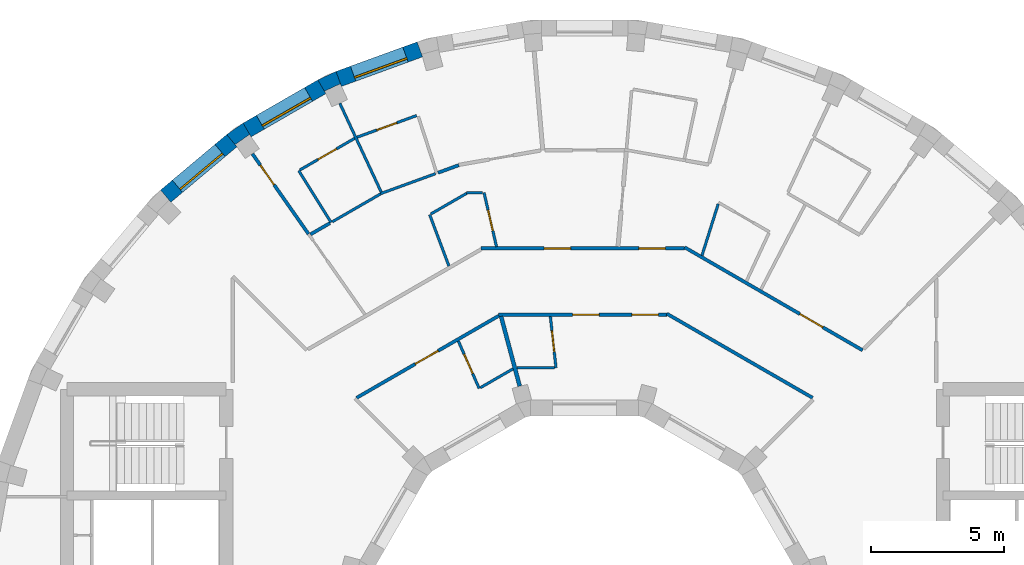
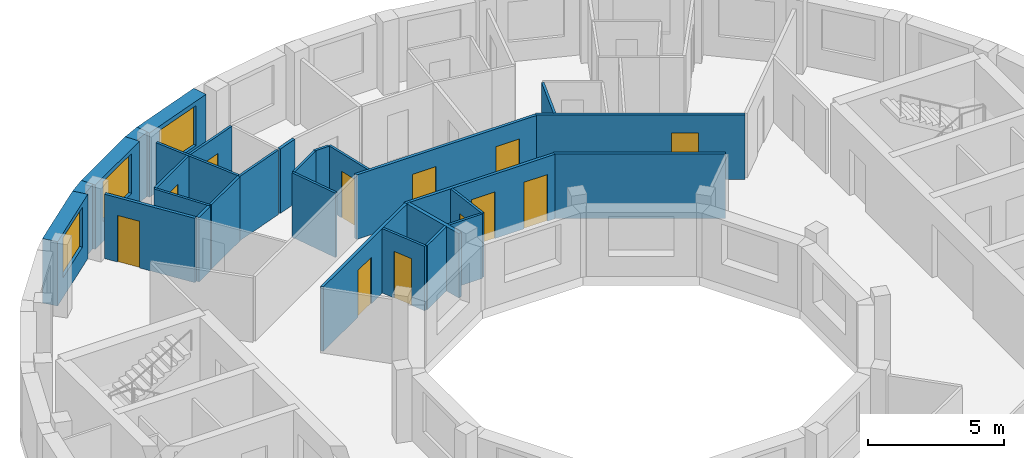
# One storey, part 9 of 12: 29 walls, 12 doors, 3 windows, 15 openings.
"""IFC4 building model written with IfcOpenShell, lengths in metres."""

import ifcopenshell
import ifcopenshell.guid

model = None  # the IFC model being written
_history = None  # IfcOwnerHistory: only IFC2X3 demands one
_inside = {}  # id of a spatial element -> (the spatial element, [elements in it])
_under = {}  # id of a project, library or spatial element -> (it, [spatial elements below it])
_declared = {}  # id of a project -> (the project, [libraries it declares])
_typed = {}  # id of a type object -> (the type object, [elements of that type])
_made_of = {}  # id of a material, layer set ... -> (it, [elements and type objects made of it])


def new_model(schema):
    """Start an empty IFC model of exactly this schema.

    Asked for "IFC4X3", IfcOpenShell would pick the latest addendum, in which some entities
    have other attributes; the version numbers below select the first issue.
    IFC2X3 requires an IfcOwnerHistory on every rooted entity: one is made here for all.
    """
    global model, _history
    if schema == "IFC4X3":
        model = ifcopenshell.file(schema_version=(4, 3, 0, 0))
    else:
        model = ifcopenshell.file(schema=schema)
    _inside.clear()
    _under.clear()
    _declared.clear()
    _typed.clear()
    _made_of.clear()
    _history = None
    if model.schema == "IFC2X3":
        org = make("IfcOrganization", Name="unknown")
        user = make(
            "IfcPersonAndOrganization",
            ThePerson=make("IfcPerson", FamilyName="unknown"),
            TheOrganization=org,
        )
        app = make(
            "IfcApplication",
            ApplicationDeveloper=org,
            Version="unknown",
            ApplicationFullName="unknown",
            ApplicationIdentifier="unknown",
        )
        _history = make(
            "IfcOwnerHistory",
            OwningUser=user,
            OwningApplication=app,
            ChangeAction="ADDED",
            CreationDate=0,
        )
    return model


def make(cls, **values):
    """One entity of the class cls with the attributes given. An attribute that is None is left unset."""
    return model.create_entity(
        cls, **{name: value for name, value in values.items() if value is not None}
    )


def rooted(cls, **values):
    """An entity with a GlobalId (a new one), such as an element, a storey or a relation."""
    return make(cls, GlobalId=ifcopenshell.guid.new(), OwnerHistory=_history, **values)


def si_unit(unit_type, name, prefix=None):
    """IfcSIUnit, for example si_unit("LENGTHUNIT", "METRE", prefix="MILLI")."""
    return make("IfcSIUnit", UnitType=unit_type, Prefix=prefix, Name=name)


def assignment(units):
    """IfcUnitAssignment: the units of a project."""
    return None if units is None else make("IfcUnitAssignment", Units=units)


def point(xyz):
    """IfcCartesianPoint."""
    return None if xyz is None else make("IfcCartesianPoint", Coordinates=xyz)


def direction(xyz):
    """IfcDirection."""
    return None if xyz is None else make("IfcDirection", DirectionRatios=xyz)


def frame(location, z_axis=None, x_axis=None):
    """IfcAxis2Placement3D, a coordinate frame: its origin and axes. An axis left out is left unset."""
    return make(
        "IfcAxis2Placement3D",
        Location=point(location),
        Axis=direction(z_axis),
        RefDirection=direction(x_axis),
    )


def frame_2d(location, x_axis=None):
    """IfcAxis2Placement2D, a coordinate frame in the plane: its origin and x axis."""
    return make(
        "IfcAxis2Placement2D", Location=point(location), RefDirection=direction(x_axis)
    )


def origin():
    """The frame at (0, 0, 0) with its axes left unset."""
    return frame((0.0, 0.0, 0.0))


def place(relative_to, where):
    """IfcLocalPlacement: puts the frame where relative to a parent placement (None: the world)."""
    return make(
        "IfcLocalPlacement", PlacementRelTo=relative_to, RelativePlacement=where
    )


def context(
    kind, dimensions, precision=None, world=None, true_north=None, identifier=None
):
    """IfcGeometricRepresentationContext, for example the 3D "Model" context."""
    return make(
        "IfcGeometricRepresentationContext",
        ContextIdentifier=identifier,
        ContextType=kind,
        CoordinateSpaceDimension=dimensions,
        Precision=precision,
        WorldCoordinateSystem=world,
        TrueNorth=true_north,
    )


def subcontext(parent, identifier, kind, view, scale=None):
    """IfcGeometricRepresentationSubContext, for example "Body" below "Model"."""
    return make(
        "IfcGeometricRepresentationSubContext",
        ContextIdentifier=identifier,
        ContextType=kind,
        ParentContext=parent,
        TargetScale=scale,
        TargetView=view,
    )


def project(units=None, contexts=None):
    """IfcProject with its units and contexts."""
    return rooted(
        "IfcProject",
        Name="project",
        RepresentationContexts=contexts,
        UnitsInContext=assignment(units),
    )


def spatial(cls, under=None, at=None, **own):
    """A site, building, storey or space (cls), placed at a placement, below another one or the project."""
    s = rooted(cls, ObjectPlacement=at, **own)
    if under is not None:
        _under.setdefault(under.id(), (under, []))[1].append(s)
    return s


def polyline(points):
    """IfcPolyline through the points."""
    return make("IfcPolyline", Points=[point(p) for p in points])


def profile(cls, at=None, kind="AREA", **sizes):
    """A parametric profile (cls). Its sizes go by their IFC names, for example OverallWidth=200.0."""
    return make(cls, ProfileType=kind, Position=at, **sizes)


def rectangle(**sizes):
    """IfcRectangleProfileDef."""
    return profile("IfcRectangleProfileDef", **sizes)


def outline(outer, holes=None, kind="AREA"):
    """IfcArbitraryClosedProfileDef: a profile drawn as a closed curve; with holes, ...WithVoids."""
    if holes is None:
        return make("IfcArbitraryClosedProfileDef", ProfileType=kind, OuterCurve=outer)
    return make(
        "IfcArbitraryProfileDefWithVoids",
        ProfileType=kind,
        OuterCurve=outer,
        InnerCurves=holes,
    )


def extrude(swept, where, along, depth):
    """IfcExtrudedAreaSolid: the profile swept, set in the frame where, extruded along a direction by depth."""
    return make(
        "IfcExtrudedAreaSolid",
        SweptArea=swept,
        Position=where,
        ExtrudedDirection=direction(along),
        Depth=depth,
    )


def shape(context_of_items, identifier, shape_type, items):
    """IfcShapeRepresentation: the items that make up one representation, for example the "Body"."""
    return make(
        "IfcShapeRepresentation",
        ContextOfItems=context_of_items,
        RepresentationIdentifier=identifier,
        RepresentationType=shape_type,
        Items=items,
    )


def material(Name=None, Category=None):
    """IfcMaterial."""
    return make("IfcMaterial", Name=Name, Category=Category)


def layer(
    of_material, thickness, ventilated=None, Name=None, Category=None, Priority=None
):
    """IfcMaterialLayer: one layer of a wall or slab, of a material (None: an air gap)."""
    return make(
        "IfcMaterialLayer",
        Material=of_material,
        LayerThickness=thickness,
        IsVentilated=ventilated,
        Name=Name,
        Category=Category,
        Priority=Priority,
    )


def layer_set(layers, Name=None):
    """IfcMaterialLayerSet."""
    return make("IfcMaterialLayerSet", MaterialLayers=layers, LayerSetName=Name)


def made_of(thing, what):
    """Note that an element or type object is made of a material, layer set ...; save() writes the relation."""
    if what is not None:
        _made_of.setdefault(what.id(), (what, []))[1].append(thing)
    return thing


def type_object(cls, material=None, **own):
    """A type object (cls), such as IfcWallType, which elements share."""
    return made_of(rooted(cls, **own), material)


def element(
    cls,
    number,
    at=None,
    inside=None,
    cuts=None,
    type_object=None,
    material=None,
    context=None,
    identifier="Body",
    shape_type=None,
    held_by="IfcProductDefinitionShape",
    body=None,
    shapes=None,
    **own,
):
    """One element of the class cls, such as IfcWall. Its Tag is "e" and its number.

    at: its placement. inside: the storey or other place that contains it. cuts: it is an
    opening in that element (IfcRelVoidsElement). A single representation is given by context,
    identifier, shape_type and body (its items); several are given by shapes. held_by: the class
    of the entity that holds the representations. save() writes the other relations.
    """
    e = rooted(cls, Tag="e%d" % number, ObjectPlacement=at, **own)
    if body is not None:
        shapes = [shape(context, identifier, shape_type, body)]
    if shapes is not None:
        e.Representation = make(held_by, Representations=shapes)
    if inside is not None:
        _inside.setdefault(inside.id(), (inside, []))[1].append(e)
    if cuts is not None:
        rooted(
            "IfcRelVoidsElement", RelatingBuildingElement=cuts, RelatedOpeningElement=e
        )
    if type_object is not None:
        _typed.setdefault(type_object.id(), (type_object, []))[1].append(e)
    return made_of(e, material)


def fill(opening, filler):
    """IfcRelFillsElement: the door or window that sits in an opening."""
    return rooted(
        "IfcRelFillsElement",
        RelatingOpeningElement=opening,
        RelatedBuildingElement=filler,
    )


def aggregate(whole, parts):
    """IfcRelAggregates: a whole, such as a stair, and the parts it consists of."""
    return rooted("IfcRelAggregates", RelatingObject=whole, RelatedObjects=parts)


def save(model, path):
    """Write the relations noted so far, then the file.

    IfcRelAggregates (storeys below a building ...), IfcRelContainedInSpatialStructure (elements
    in a storey), IfcRelDefinesByType, IfcRelAssociatesMaterial and IfcRelDeclares: one each for
    every whole, place, type object, material and project.
    """
    for whole, parts in _under.values():
        aggregate(whole, parts)
    for where, things in _inside.values():
        rooted(
            "IfcRelContainedInSpatialStructure",
            RelatedElements=things,
            RelatingStructure=where,
        )
    for kind, things in _typed.values():
        rooted("IfcRelDefinesByType", RelatedObjects=things, RelatingType=kind)
    for what, things in _made_of.values():
        rooted("IfcRelAssociatesMaterial", RelatedObjects=things, RelatingMaterial=what)
    for by, libraries in _declared.values():
        rooted("IfcRelDeclares", RelatingContext=by, RelatedDefinitions=libraries)
    model.write(path)


model = new_model("IFC4")

# Units and contexts
model_context = context("Model", 3, precision=1e-05, world=origin(), true_north=direction((0.0, 1.0)))
body_context = subcontext(model_context, "Body", "Model", "MODEL_VIEW")
ifc_project = project(units=[si_unit("LENGTHUNIT", "METRE"), si_unit("AREAUNIT", "SQUARE_METRE"), si_unit("VOLUMEUNIT", "CUBIC_METRE"), si_unit("PLANEANGLEUNIT", "RADIAN"), si_unit("MASSUNIT", "GRAM", prefix="KILO")], contexts=[model_context])

# Site, building, storey
site_placement = place(None, origin())
site = spatial("IfcSite", under=ifc_project, at=site_placement, CompositionType="ELEMENT")
building_placement = place(site_placement, origin())
building = spatial("IfcBuilding", under=site, at=building_placement, Name="Saqina Gate Tower", CompositionType="ELEMENT")
storey_placement = place(building_placement, frame((0.0, 0.0, 262.699951171875)))
storey = spatial("IfcBuildingStorey", under=building, at=storey_placement, Name="L75", CompositionType="ELEMENT", Elevation=262.699951171875)

# Walls
ifc_material_1 = material(Name="Brick masonry (buff)", Category="masonry")
wall_type_1 = type_object("IfcWallType", Name="BRICK PIER COPING BUFF", PredefinedType="SOLIDWALL", material=ifc_material_1)
wall_1_placement = place(storey_placement, origin())
element("IfcWall", 1, at=wall_1_placement, inside=storey, type_object=wall_type_1, Name="Pier cap L75 column 12", PredefinedType="SOLIDWALL", context=body_context, shape_type="SweptSolid", body=[
    extrude(outline(polyline([(-9.3642578125, 20.974609375), (-10.048095703125, 20.65576171875), (-9.748291015625, 20.135986328125), (-9.79296875, 20.23193359375), (-9.203857421875, 20.506591796875), (-9.1591796875, 20.410888671875), (-9.3642578125, 20.974609375)])), origin(), (0.0, 0.0, 1.0), 2.900146484375),
])
wall_2_placement = place(storey_placement, origin())
element("IfcWall", 2, at=wall_2_placement, inside=storey, type_object=wall_type_1, Name="Pier cap L75 column 13", PredefinedType="SOLIDWALL", context=body_context, shape_type="SweptSolid", body=[
    extrude(outline(polyline([(-12.8642578125, 19.02978515625), (-13.482421875, 18.59716796875), (-13.0966796875, 18.137451171875), (-13.157470703125, 18.22412109375), (-12.625, 18.596923828125), (-12.564208984375, 18.51025390625), (-12.8642578125, 19.02978515625)])), origin(), (0.0, 0.0, 1.0), 2.900146484375),
])

# Wall, opening, window
ifc_material_2 = material(Name="Brick masonry (buff)", Category="masonry")
ifc_layer_1 = layer(ifc_material_2, 0.60009765625)
ifc_layer_set_1 = layer_set([ifc_layer_1], Name="FW-BRICK-BUFF")
wall_type_2 = type_object("IfcWallType", Name="FW-BRICK-BUFF", PredefinedType="SOLIDWALL", material=ifc_layer_set_1)
wall_3_placement = place(storey_placement, frame((-6.2060546875, 21.804931640625, 0.0), z_axis=(0.0, 0.0, 1.0), x_axis=(-0.939679383794, -0.342056509473, 0.0)))
wall_3 = element("IfcWall", 3, at=wall_3_placement, inside=storey, type_object=wall_type_2, Name="Facade wall L75 facet 11", PredefinedType="SOLIDWALL", context=body_context, shape_type="SweptSolid", body=[
    extrude(rectangle(XDim=3.251708984375, YDim=0.60009765625, at=frame_2d((1.6259765625, 0.0))), origin(), (0.0, 0.0, 1.0), 2.900146484375),
])
opening_1_placement = place(wall_3_placement, frame((0.57568359375, 0.0, 0.89990234375)))
opening_1 = element("IfcOpeningElement", 4, at=opening_1_placement, cuts=wall_3, Name="Opening G22-W09", PredefinedType="OPENING", context=body_context, shape_type="SweptSolid", body=[
    extrude(rectangle(XDim=2.10009765625, YDim=1.800048828125, at=frame_2d((1.050048828125, 0.89990234375))), frame((0.0, 0.31201171875, 0.0), z_axis=(0.0, -1.0, 0.0), x_axis=(1.0, 0.0, 0.0)), (0.0, 0.0, 1.0), 0.6240234375),
])
ifc_material_3 = material(Name="Aluminium glazing", Category="aluminium")
window_type = type_object("IfcWindowType", Name="WN-D", PartitioningType="SINGLE_PANEL", PredefinedType="WINDOW", material=ifc_material_3)
window_1_placement = place(opening_1_placement, origin())
window_1 = element("IfcWindow", 5, at=window_1_placement, inside=storey, type_object=window_type, Name="Window L75 facet 11", OverallHeight=1.800048828125, OverallWidth=2.10009765625, PartitioningType="SINGLE_PANEL", PredefinedType="WINDOW", context=body_context, shape_type="SweptSolid", body=[
    extrude(rectangle(XDim=2.10009765625, YDim=1.800048828125, at=frame_2d((1.050048828125, 0.89990234375))), frame((0.0, 0.179931640625, 0.0), z_axis=(0.0, -1.0, 0.0), x_axis=(1.0, 0.0, 0.0)), (0.0, 0.0, 1.0), 0.06005859375),
])
fill(opening_1, window_1)

wall_4_placement = place(storey_placement, frame((-9.898193359375, 20.39599609375, 0.0), z_axis=(0.0, 0.0, 1.0), x_axis=(-0.866016800201, -0.500014901547, 0.0)))
wall_4 = element("IfcWall", 6, at=wall_4_placement, inside=storey, type_object=wall_type_2, Name="Facade wall L75 facet 12", PredefinedType="SOLIDWALL", context=body_context, shape_type="SweptSolid", body=[
    extrude(rectangle(XDim=3.251953125, YDim=0.60009765625, at=frame_2d((1.6259765625, 0.0))), origin(), (0.0, 0.0, 1.0), 2.900146484375),
])
opening_2_placement = place(wall_4_placement, frame((0.57568359375, 0.0, 0.89990234375)))
opening_2 = element("IfcOpeningElement", 7, at=opening_2_placement, cuts=wall_4, Name="Opening G22-W10", PredefinedType="OPENING", context=body_context, shape_type="SweptSolid", body=[
    extrude(rectangle(XDim=2.10009765625, YDim=1.800048828125, at=frame_2d((1.050048828125, 0.89990234375))), frame((0.0, 0.31201171875, 0.0), z_axis=(0.0, -1.0, 0.0), x_axis=(1.0, 0.0, 0.0)), (0.0, 0.0, 1.0), 0.6240234375),
])
window_2_placement = place(opening_2_placement, origin())
window_2 = element("IfcWindow", 8, at=window_2_placement, inside=storey, type_object=window_type, Name="Window L75 facet 12", OverallHeight=1.800048828125, OverallWidth=2.10009765625, PartitioningType="SINGLE_PANEL", PredefinedType="WINDOW", context=body_context, shape_type="SweptSolid", body=[
    extrude(rectangle(XDim=2.10009765625, YDim=1.800048828125, at=frame_2d((1.050048828125, 0.89990234375))), frame((0.0, 0.179931640625, 0.0), z_axis=(0.0, -1.0, 0.0), x_axis=(1.0, 0.0, 0.0)), (0.0, 0.0, 1.0), 0.06005859375),
])
fill(opening_2, window_2)

wall_5_placement = place(storey_placement, frame((-13.28955078125, 18.3671875, 0.0), z_axis=(0.0, 0.0, 1.0), x_axis=(-0.766056773982, -0.64277291405, 0.0)))
wall_5 = element("IfcWall", 9, at=wall_5_placement, inside=storey, type_object=wall_type_2, Name="Facade wall L75 facet 13", PredefinedType="SOLIDWALL", context=body_context, shape_type="SweptSolid", body=[
    extrude(rectangle(XDim=3.251708984375, YDim=0.60009765625, at=frame_2d((1.6259765625, 0.0))), origin(), (0.0, 0.0, 1.0), 2.900146484375),
])
opening_3_placement = place(wall_5_placement, frame((0.57568359375, 0.0, 0.89990234375)))
opening_3 = element("IfcOpeningElement", 10, at=opening_3_placement, cuts=wall_5, Name="Opening G22-W11", PredefinedType="OPENING", context=body_context, shape_type="SweptSolid", body=[
    extrude(rectangle(XDim=2.10009765625, YDim=1.800048828125, at=frame_2d((1.050048828125, 0.89990234375))), frame((0.0, 0.31201171875, 0.0), z_axis=(0.0, -1.0, 0.0), x_axis=(1.0, 0.0, 0.0)), (0.0, 0.0, 1.0), 0.6240234375),
])
window_3_placement = place(opening_3_placement, origin())
window_3 = element("IfcWindow", 11, at=window_3_placement, inside=storey, type_object=window_type, Name="Window L75 facet 13", OverallHeight=1.800048828125, OverallWidth=2.10009765625, PartitioningType="SINGLE_PANEL", PredefinedType="WINDOW", context=body_context, shape_type="SweptSolid", body=[
    extrude(rectangle(XDim=2.10009765625, YDim=1.800048828125, at=frame_2d((1.050048828125, 0.89990234375))), frame((0.0, 0.179931640625, 0.0), z_axis=(0.0, -1.0, 0.0), x_axis=(1.0, 0.0, 0.0)), (0.0, 0.0, 1.0), 0.06005859375),
])
fill(opening_3, window_3)

# Wall, opening, door
ifc_material_4 = material(Name="Gypsum board on steel studs, 100 mm", Category="steel")
ifc_layer_2 = layer(ifc_material_4, 0.10009765625)
ifc_layer_set_2 = layer_set([ifc_layer_2], Name="PARTITION 100")
wall_type_3 = type_object("IfcWallType", Name="PARTITION 100", PredefinedType="PARTITIONING", material=ifc_layer_set_2)
wall_6_placement = place(storey_placement, frame((-1.290283203125, 11.747802734375, 0.0), z_axis=(0.0, 0.0, 1.0), x_axis=(0.109455554722, -0.993991690881, 0.0)))
wall_6 = element("IfcWall", 12, at=wall_6_placement, inside=storey, type_object=wall_type_3, Name="PARTITION PW3-03", PredefinedType="PARTITIONING", context=body_context, shape_type="SweptSolid", body=[
    extrude(rectangle(XDim=1.949462890625, YDim=0.10009765625, at=frame_2d((0.974609375, 0.0))), origin(), (0.0, 0.0, 1.0), 2.900146484375),
])
opening_4_placement = place(wall_6_placement, frame((0.54345703125, 0.0, 0.0)))
opening_4 = element("IfcOpeningElement", 13, at=opening_4_placement, cuts=wall_6, Name="Opening G22-D15", PredefinedType="OPENING", context=body_context, shape_type="SweptSolid", body=[
    extrude(rectangle(XDim=0.800048828125, YDim=2.10009765625, at=frame_2d((0.39990234375, 1.050048828125))), frame((0.0, 0.06201171875, 0.0), z_axis=(0.0, -1.0, 0.0), x_axis=(1.0, 0.0, 0.0)), (0.0, 0.0, 1.0), 0.1240234375),
])
ifc_material_5 = material(Name="Timber door leaf, 800 mm", Category="wood")
door_type_1 = type_object("IfcDoorType", Name="DOOR 800 TIMBER", OperationType="SINGLE_SWING_LEFT", PredefinedType="DOOR", material=ifc_material_5)
door_1_placement = place(opening_4_placement, origin())
door_1 = element("IfcDoor", 14, at=door_1_placement, inside=storey, type_object=door_type_1, Name="DOOR G22-D15", OperationType="SINGLE_SWING_LEFT", OverallHeight=2.10009765625, OverallWidth=0.800048828125, PredefinedType="DOOR", context=body_context, shape_type="SweptSolid", body=[
    extrude(rectangle(XDim=0.800048828125, YDim=2.10009765625, at=frame_2d((0.39990234375, 1.050048828125))), frame((0.0, 0.02490234375, 0.0), z_axis=(0.0, -1.0, 0.0), x_axis=(1.0, 0.0, 0.0)), (0.0, 0.0, 1.0), 0.050048828125),
])
fill(opening_4, door_1)

wall_7_placement = place(storey_placement, frame((-3.7890625, 16.409912109375, 0.0), z_axis=(0.0, 0.0, 1.0), x_axis=(0.22503842629, -0.974349889256, 0.0)))
wall_7 = element("IfcWall", 15, at=wall_7_placement, inside=storey, type_object=wall_type_3, Name="PARTITION PW3-06", PredefinedType="PARTITIONING", context=body_context, shape_type="SweptSolid", body=[
    extrude(rectangle(XDim=2.0927734375, YDim=0.10009765625, at=frame_2d((1.04638671875, 0.0))), origin(), (0.0, 0.0, 1.0), 2.900146484375),
])
opening_5_placement = place(wall_7_placement, frame((0.677490234375, 0.0, 0.0)))
opening_5 = element("IfcOpeningElement", 16, at=opening_5_placement, cuts=wall_7, Name="Opening G22-D17", PredefinedType="OPENING", context=body_context, shape_type="SweptSolid", body=[
    extrude(rectangle(XDim=0.800048828125, YDim=2.10009765625, at=frame_2d((0.39990234375, 1.050048828125))), frame((0.0, 0.06201171875, 0.0), z_axis=(0.0, -1.0, 0.0), x_axis=(1.0, 0.0, 0.0)), (0.0, 0.0, 1.0), 0.1240234375),
])
door_2_placement = place(opening_5_placement, origin())
door_2 = element("IfcDoor", 17, at=door_2_placement, inside=storey, type_object=door_type_1, Name="DOOR G22-D17", OperationType="SINGLE_SWING_RIGHT", OverallHeight=2.10009765625, OverallWidth=0.800048828125, PredefinedType="DOOR", context=body_context, shape_type="SweptSolid", body=[
    extrude(rectangle(XDim=0.800048828125, YDim=2.10009765625, at=frame_2d((0.39990234375, 1.050048828125))), frame((0.0, 0.02490234375, 0.0), z_axis=(0.0, -1.0, 0.0), x_axis=(1.0, 0.0, 0.0)), (0.0, 0.0, 1.0), 0.050048828125),
])
fill(opening_5, door_2)

# Wall
wall_8_placement = place(storey_placement, frame((-5.8359375, 15.5791015625, 0.0), z_axis=(0.0, 0.0, 1.0), x_axis=(0.350786772872, -0.936455359309, 0.0)))
element("IfcWall", 18, at=wall_8_placement, inside=storey, type_object=wall_type_3, Name="PARTITION PW3-08", PredefinedType="PARTITIONING", context=body_context, shape_type="SweptSolid", body=[
    extrude(rectangle(XDim=2.06640625, YDim=0.10009765625, at=frame_2d((1.033203125, 0.0))), origin(), (0.0, 0.0, 1.0), 2.900146484375),
])

# Wall, opening, door
wall_9_placement = place(storey_placement, frame((-4.7568359375, 10.81884765625, 0.0), z_axis=(0.0, 0.0, 1.0), x_axis=(0.402545589402, -0.915399939072, 0.0)))
wall_9 = element("IfcWall", 19, at=wall_9_placement, inside=storey, type_object=wall_type_3, Name="PARTITION PW3-09", PredefinedType="PARTITIONING", context=body_context, shape_type="SweptSolid", body=[
    extrude(rectangle(XDim=1.949951171875, YDim=0.10009765625, at=frame_2d((0.97509765625, 0.0))), origin(), (0.0, 0.0, 1.0), 2.900146484375),
])
opening_6_placement = place(wall_9_placement, frame((0.543701171875, 0.0, 0.0)))
opening_6 = element("IfcOpeningElement", 20, at=opening_6_placement, cuts=wall_9, Name="Opening G22-D19", PredefinedType="OPENING", context=body_context, shape_type="SweptSolid", body=[
    extrude(rectangle(XDim=0.800048828125, YDim=2.10009765625, at=frame_2d((0.39990234375, 1.050048828125))), frame((0.0, 0.06201171875, 0.0), z_axis=(0.0, -1.0, 0.0), x_axis=(1.0, 0.0, 0.0)), (0.0, 0.0, 1.0), 0.1240234375),
])
door_3_placement = place(opening_6_placement, frame((0.800048828125, 0.0, 0.0), z_axis=(0.0, 0.0, 1.0), x_axis=(-1.0, 0.0, 0.0)))
door_3 = element("IfcDoor", 21, at=door_3_placement, inside=storey, type_object=door_type_1, Name="DOOR G22-D19", OperationType="SINGLE_SWING_RIGHT", OverallHeight=2.10009765625, OverallWidth=0.800048828125, PredefinedType="DOOR", context=body_context, shape_type="SweptSolid", body=[
    extrude(rectangle(XDim=0.800048828125, YDim=2.10009765625, at=frame_2d((0.39990234375, 1.050048828125))), frame((0.0, 0.02490234375, 0.0), z_axis=(0.0, -1.0, 0.0), x_axis=(1.0, 0.0, 0.0)), (0.0, 0.0, 1.0), 0.050048828125),
])
fill(opening_6, door_3)

# Walls
wall_10_placement = place(storey_placement, frame((-9.2197265625, 19.77099609375, 0.0), z_axis=(0.0, 0.0, 1.0), x_axis=(0.422606093897, -0.906313460896, 0.0)))
element("IfcWall", 22, at=wall_10_placement, inside=storey, type_object=wall_type_3, Name="PARTITION PW3-11", PredefinedType="PARTITIONING", context=body_context, shape_type="SweptSolid", body=[
    extrude(rectangle(XDim=3.68408203125, YDim=0.10009765625, at=frame_2d((1.842041015625, 0.0))), origin(), (0.0, 0.0, 1.0), 2.900146484375),
])
wall_11_placement = place(storey_placement, frame((-10.77001953125, 17.237060546875, 0.0), z_axis=(0.0, 0.0, 1.0), x_axis=(0.529960807047, -0.848022135911, 0.0)))
element("IfcWall", 23, at=wall_11_placement, inside=storey, type_object=wall_type_3, Name="PARTITION PW3-12", PredefinedType="PARTITIONING", context=body_context, shape_type="SweptSolid", body=[
    extrude(rectangle(XDim=2.302001953125, YDim=0.10009765625, at=frame_2d((1.15087890625, 0.0))), origin(), (0.0, 0.0, 1.0), 2.900146484375),
])
wall_12_placement = place(storey_placement, frame((-2.553955078125, 9.81005859375, 0.0), z_axis=(0.0, 0.0, 1.0), x_axis=(1.0, 0.0, 0.0)))
element("IfcWall", 24, at=wall_12_placement, inside=storey, type_object=wall_type_3, Name="PARTITION PW3-29", PredefinedType="PARTITIONING", context=body_context, shape_type="SweptSolid", body=[
    extrude(rectangle(XDim=1.427001953125, YDim=0.10009765625, at=frame_2d((0.71337890625, 0.0))), origin(), (0.0, 0.0, 1.0), 2.900146484375),
])
wall_13_placement = place(storey_placement, frame((-4.454833984375, 16.409912109375, 0.0), z_axis=(0.0, 0.0, 1.0), x_axis=(1.0, 0.0, 0.0)))
element("IfcWall", 25, at=wall_13_placement, inside=storey, type_object=wall_type_3, Name="PARTITION PW3-30", PredefinedType="PARTITIONING", context=body_context, shape_type="SweptSolid", body=[
    extrude(rectangle(XDim=0.61572265625, YDim=0.10009765625, at=frame_2d((0.307861328125, 0.0))), origin(), (0.0, 0.0, 1.0), 2.900146484375),
])
wall_14_placement = place(storey_placement, frame((-7.688720703125, 16.36962890625, 0.0), z_axis=(0.0, 0.0, 1.0), x_axis=(0.939680214162, 0.342054228323, 0.0)))
element("IfcWall", 26, at=wall_14_placement, inside=storey, type_object=wall_type_3, Name="PARTITION PW3-33", PredefinedType="PARTITIONING", context=body_context, shape_type="SweptSolid", body=[
    extrude(rectangle(XDim=2.204833984375, YDim=0.10009765625, at=frame_2d((1.1025390625, 0.0))), origin(), (0.0, 0.0, 1.0), 2.900146484375),
])

# Wall, opening, door
wall_15_placement = place(storey_placement, frame((-8.570068359375, 18.4970703125, 0.0), z_axis=(0.0, 0.0, 1.0), x_axis=(0.939715724906, 0.341956658606, 0.0)))
wall_15 = element("IfcWall", 27, at=wall_15_placement, inside=storey, type_object=wall_type_3, Name="PARTITION PW3-34", PredefinedType="PARTITIONING", context=body_context, shape_type="SweptSolid", body=[
    extrude(rectangle(XDim=2.385986328125, YDim=0.10009765625, at=frame_2d((1.19287109375, 0.0))), origin(), (0.0, 0.0, 1.0), 2.900146484375),
])
opening_7_placement = place(wall_15_placement, frame((0.792236328125, 0.0, 0.0)))
opening_7 = element("IfcOpeningElement", 28, at=opening_7_placement, cuts=wall_15, Name="Opening G22-D18", PredefinedType="OPENING", context=body_context, shape_type="SweptSolid", body=[
    extrude(rectangle(XDim=0.800048828125, YDim=2.10009765625, at=frame_2d((0.39990234375, 1.050048828125))), frame((0.0, 0.06201171875, 0.0), z_axis=(0.0, -1.0, 0.0), x_axis=(1.0, 0.0, 0.0)), (0.0, 0.0, 1.0), 0.1240234375),
])
door_4_placement = place(opening_7_placement, origin())
door_4 = element("IfcDoor", 29, at=door_4_placement, inside=storey, type_object=door_type_1, Name="DOOR G22-D18", OperationType="SINGLE_SWING_LEFT", OverallHeight=2.10009765625, OverallWidth=0.800048828125, PredefinedType="DOOR", context=body_context, shape_type="SweptSolid", body=[
    extrude(rectangle(XDim=0.800048828125, YDim=2.10009765625, at=frame_2d((0.39990234375, 1.050048828125))), frame((0.0, 0.02490234375, 0.0), z_axis=(0.0, -1.0, 0.0), x_axis=(1.0, 0.0, 0.0)), (0.0, 0.0, 1.0), 0.050048828125),
])
fill(opening_7, door_4)

# Walls
wall_16_placement = place(storey_placement, frame((-3.9287109375, 9.05908203125, 0.0), z_axis=(0.0, 0.0, 1.0), x_axis=(0.865894734208, 0.500226258078, 0.0)))
element("IfcWall", 30, at=wall_16_placement, inside=storey, type_object=wall_type_3, Name="PARTITION PW3-35", PredefinedType="PARTITIONING", context=body_context, shape_type="SweptSolid", body=[
    extrude(rectangle(XDim=1.426025390625, YDim=0.10009765625, at=frame_2d((0.712890625, 0.0))), origin(), (0.0, 0.0, 1.0), 2.900146484375),
])
wall_17_placement = place(storey_placement, frame((-5.792724609375, 15.60400390625, 0.0), z_axis=(0.0, 0.0, 1.0), x_axis=(0.865992945458, 0.500056215256, 0.0)))
element("IfcWall", 31, at=wall_17_placement, inside=storey, type_object=wall_type_3, Name="PARTITION PW3-36", PredefinedType="PARTITIONING", context=body_context, shape_type="SweptSolid", body=[
    extrude(rectangle(XDim=1.561767578125, YDim=0.10009765625, at=frame_2d((0.78076171875, 0.0))), origin(), (0.0, 0.0, 1.0), 2.900146484375),
])
wall_18_placement = place(storey_placement, frame((-9.506591796875, 15.31005859375, 0.0), z_axis=(0.0, 0.0, 1.0), x_axis=(0.86604260665, 0.49997020258, 0.0)))
element("IfcWall", 32, at=wall_18_placement, inside=storey, type_object=wall_type_3, Name="PARTITION PW3-37", PredefinedType="PARTITIONING", context=body_context, shape_type="SweptSolid", body=[
    extrude(rectangle(XDim=2.104248046875, YDim=0.10009765625, at=frame_2d((1.05224609375, 0.0))), origin(), (0.0, 0.0, 1.0), 2.900146484375),
])

# Wall, opening, door
wall_19_placement = place(storey_placement, frame((-10.726806640625, 17.261962890625, 0.0), z_axis=(0.0, 0.0, 1.0), x_axis=(0.866011787705, 0.500023583, 0.0)))
wall_19 = element("IfcWall", 33, at=wall_19_placement, inside=storey, type_object=wall_type_3, Name="PARTITION PW3-38", PredefinedType="PARTITIONING", context=body_context, shape_type="SweptSolid", body=[
    extrude(rectangle(XDim=2.38623046875, YDim=0.10009765625, at=frame_2d((1.193115234375, 0.0))), origin(), (0.0, 0.0, 1.0), 2.900146484375),
])
opening_8_placement = place(wall_19_placement, frame((0.79296875, 0.0, 0.0)))
opening_8 = element("IfcOpeningElement", 34, at=opening_8_placement, cuts=wall_19, Name="Opening G22-D20", PredefinedType="OPENING", context=body_context, shape_type="SweptSolid", body=[
    extrude(rectangle(XDim=0.800048828125, YDim=2.10009765625, at=frame_2d((0.39990234375, 1.050048828125))), frame((0.0, 0.06201171875, 0.0), z_axis=(0.0, -1.0, 0.0), x_axis=(1.0, 0.0, 0.0)), (0.0, 0.0, 1.0), 0.1240234375),
])
door_5_placement = place(opening_8_placement, origin())
door_5 = element("IfcDoor", 35, at=door_5_placement, inside=storey, type_object=door_type_1, Name="DOOR G22-D20", OperationType="SINGLE_SWING_LEFT", OverallHeight=2.10009765625, OverallWidth=0.800048828125, PredefinedType="DOOR", context=body_context, shape_type="SweptSolid", body=[
    extrude(rectangle(XDim=0.800048828125, YDim=2.10009765625, at=frame_2d((0.39990234375, 1.050048828125))), frame((0.0, 0.02490234375, 0.0), z_axis=(0.0, -1.0, 0.0), x_axis=(1.0, 0.0, 0.0)), (0.0, 0.0, 1.0), 0.050048828125),
])
fill(opening_8, door_5)

# Wall
wall_20_placement = place(storey_placement, frame((4.421875, 14.04150390625, 0.0), z_axis=(0.0, 0.0, 1.0), x_axis=(0.300390936016, 0.953816169689, 0.0)))
element("IfcWall", 36, at=wall_20_placement, inside=storey, type_object=wall_type_3, Name="PARTITION PW3-48", PredefinedType="PARTITIONING", context=body_context, shape_type="SweptSolid", body=[
    extrude(rectangle(XDim=2.035888671875, YDim=0.10009765625, at=frame_2d((1.01806640625, 0.0))), origin(), (0.0, 0.0, 1.0), 2.900146484375),
])

# Wall, opening, door
ifc_material_6 = material(Name="Gypsum board on steel studs, 125 mm, fire rated", Category="steel")
ifc_layer_3 = layer(ifc_material_6, 0.125)
ifc_layer_set_3 = layer_set([ifc_layer_3], Name="PARTITION EI 30 125")
wall_type_4 = type_object("IfcWallType", Name="PARTITION EI 30 125", PredefinedType="PARTITIONING", material=ifc_layer_set_3)
wall_21_placement = place(storey_placement, frame((-12.5126953125, 17.86962890625, 0.0), z_axis=(0.0, 0.0, 1.0), x_axis=(0.573564635471, -0.819160307228, 0.0)))
wall_21 = element("IfcWall", 37, at=wall_21_placement, inside=storey, type_object=wall_type_4, Name="PARTITION PW1-03", PredefinedType="PARTITIONING", context=body_context, shape_type="SweptSolid", body=[
    extrude(rectangle(XDim=3.68408203125, YDim=0.125, at=frame_2d((1.842041015625, 0.0))), origin(), (0.0, 0.0, 1.0), 2.900146484375),
])
opening_9_placement = place(wall_21_placement, frame((0.525634765625, 0.0, 0.0)))
opening_9 = element("IfcOpeningElement", 38, at=opening_9_placement, cuts=wall_21, Name="Opening G22-D23", PredefinedType="OPENING", context=body_context, shape_type="SweptSolid", body=[
    extrude(rectangle(XDim=0.89990234375, YDim=2.10009765625, at=frame_2d((0.449951171875, 1.050048828125))), frame((0.0, 0.074462890625, 0.0), z_axis=(0.0, -1.0, 0.0), x_axis=(1.0, 0.0, 0.0)), (0.0, 0.0, 1.0), 0.14892578125),
])
ifc_material_7 = material(Name="Fire door leaf EI 30, 900 mm")
door_type_2 = type_object("IfcDoorType", Name="DOOR 900 EI 30", OperationType="SINGLE_SWING_LEFT", PredefinedType="DOOR", material=ifc_material_7)
door_6_placement = place(opening_9_placement, frame((0.89990234375, 0.0, 0.0), z_axis=(0.0, 0.0, 1.0), x_axis=(-1.0, 0.0, 0.0)))
door_6 = element("IfcDoor", 39, at=door_6_placement, inside=storey, type_object=door_type_2, Name="DOOR G22-D23", OperationType="SINGLE_SWING_RIGHT", OverallHeight=2.10009765625, OverallWidth=0.89990234375, PredefinedType="DOOR", context=body_context, shape_type="SweptSolid", body=[
    extrude(rectangle(XDim=0.89990234375, YDim=2.10009765625, at=frame_2d((0.449951171875, 1.050048828125))), frame((0.0, 0.02490234375, 0.0), z_axis=(0.0, -1.0, 0.0), x_axis=(1.0, 0.0, 0.0)), (0.0, 0.0, 1.0), 0.050048828125),
])
fill(opening_9, door_6)

wall_22_placement = place(storey_placement, frame((3.7705078125, 14.3486328125, 0.0), z_axis=(0.0, 0.0, 1.0), x_axis=(0.865490316698, -0.500925654865, 0.0)))
wall_22 = element("IfcWall", 40, at=wall_22_placement, inside=storey, type_object=wall_type_4, Name="PARTITION PW1-09", PredefinedType="PARTITIONING", context=body_context, shape_type="SweptSolid", body=[
    extrude(rectangle(XDim=7.743408203125, YDim=0.125, at=frame_2d((3.87158203125, 0.0))), origin(), (0.0, 0.0, 1.0), 2.900146484375),
])
opening_10_placement = place(wall_22_placement, frame((5.014892578125, 0.0, 0.0)))
opening_10 = element("IfcOpeningElement", 41, at=opening_10_placement, cuts=wall_22, Name="Opening G22-D03", PredefinedType="OPENING", context=body_context, shape_type="SweptSolid", body=[
    extrude(rectangle(XDim=1.0, YDim=2.10009765625, at=frame_2d((0.5, 1.050048828125))), frame((0.0, 0.074462890625, 0.0), z_axis=(0.0, -1.0, 0.0), x_axis=(1.0, 0.0, 0.0)), (0.0, 0.0, 1.0), 0.14892578125),
])
ifc_material_8 = material(Name="Fire door leaf EI 30, 1000 mm")
door_type_3 = type_object("IfcDoorType", Name="DOOR 1000 EI 30", OperationType="SINGLE_SWING_LEFT", PredefinedType="DOOR", material=ifc_material_8)
door_7_placement = place(opening_10_placement, origin())
door_7 = element("IfcDoor", 42, at=door_7_placement, inside=storey, type_object=door_type_3, Name="DOOR G22-D03", OperationType="SINGLE_SWING_RIGHT", OverallHeight=2.10009765625, OverallWidth=1.0, PredefinedType="DOOR", context=body_context, shape_type="SweptSolid", body=[
    extrude(rectangle(XDim=1.0, YDim=2.10009765625, at=frame_2d((0.5, 1.050048828125))), frame((0.0, 0.02490234375, 0.0), z_axis=(0.0, -1.0, 0.0), x_axis=(1.0, 0.0, 0.0)), (0.0, 0.0, 1.0), 0.050048828125),
])
fill(opening_10, door_7)

# Wall
wall_23_placement = place(storey_placement, frame((3.1015625, 11.84619140625, 0.0), z_axis=(0.0, 0.0, 1.0), x_axis=(0.866089359129, -0.499889209729, 0.0)))
element("IfcWall", 43, at=wall_23_placement, inside=storey, type_object=wall_type_4, Name="PARTITION PW1-13", PredefinedType="PARTITIONING", context=body_context, shape_type="SweptSolid", body=[
    extrude(rectangle(XDim=6.3369140625, YDim=0.125, at=frame_2d((3.16845703125, 0.0))), origin(), (0.0, 0.0, 1.0), 2.900146484375),
])

# Wall, openings, doors
wall_24_placement = place(storey_placement, frame((-3.25048828125, 11.81005859375, 0.0), z_axis=(0.0, 0.0, 1.0), x_axis=(1.0, 0.0, 0.0)))
wall_24 = element("IfcWall", 44, at=wall_24_placement, inside=storey, type_object=wall_type_4, Name="PARTITION PW1-19", PredefinedType="PARTITIONING", context=body_context, shape_type="SweptSolid", body=[
    extrude(rectangle(XDim=6.35205078125, YDim=0.125, at=frame_2d((3.176025390625, 0.0))), origin(), (0.0, 0.0, 1.0), 2.900146484375),
])
opening_11_placement = place(wall_24_placement, frame((5.031982421875, 0.0, 0.0)))
opening_11 = element("IfcOpeningElement", 45, at=opening_11_placement, cuts=wall_24, Name="Opening G22-D08", PredefinedType="OPENING", context=body_context, shape_type="SweptSolid", body=[
    extrude(rectangle(XDim=1.0, YDim=2.10009765625, at=frame_2d((0.5, 1.050048828125))), frame((0.0, 0.074462890625, 0.0), z_axis=(0.0, -1.0, 0.0), x_axis=(1.0, 0.0, 0.0)), (0.0, 0.0, 1.0), 0.14892578125),
])
opening_12_placement = place(wall_24_placement, frame((2.801025390625, 0.0, 0.0)))
opening_12 = element("IfcOpeningElement", 46, at=opening_12_placement, cuts=wall_24, Name="Opening G22-D12", PredefinedType="OPENING", context=body_context, shape_type="SweptSolid", body=[
    extrude(rectangle(XDim=1.0, YDim=2.10009765625, at=frame_2d((0.5, 1.050048828125))), frame((0.0, 0.074462890625, 0.0), z_axis=(0.0, -1.0, 0.0), x_axis=(1.0, 0.0, 0.0)), (0.0, 0.0, 1.0), 0.14892578125),
])
door_8_placement = place(opening_11_placement, frame((1.0, 0.0, 0.0), z_axis=(0.0, 0.0, 1.0), x_axis=(-1.0, 0.0, 0.0)))
door_8 = element("IfcDoor", 47, at=door_8_placement, inside=storey, type_object=door_type_3, Name="DOOR G22-D08", OperationType="SINGLE_SWING_LEFT", OverallHeight=2.10009765625, OverallWidth=1.0, PredefinedType="DOOR", context=body_context, shape_type="SweptSolid", body=[
    extrude(rectangle(XDim=1.0, YDim=2.10009765625, at=frame_2d((0.5, 1.050048828125))), frame((0.0, 0.02490234375, 0.0), z_axis=(0.0, -1.0, 0.0), x_axis=(1.0, 0.0, 0.0)), (0.0, 0.0, 1.0), 0.050048828125),
])
fill(opening_11, door_8)
door_9_placement = place(opening_12_placement, frame((1.0, 0.0, 0.0), z_axis=(0.0, 0.0, 1.0), x_axis=(-1.0, 0.0, 0.0)))
door_9 = element("IfcDoor", 48, at=door_9_placement, inside=storey, type_object=door_type_3, Name="DOOR G22-D12", OperationType="SINGLE_SWING_LEFT", OverallHeight=2.10009765625, OverallWidth=1.0, PredefinedType="DOOR", context=body_context, shape_type="SweptSolid", body=[
    extrude(rectangle(XDim=1.0, YDim=2.10009765625, at=frame_2d((0.5, 1.050048828125))), frame((0.0, 0.02490234375, 0.0), z_axis=(0.0, -1.0, 0.0), x_axis=(1.0, 0.0, 0.0)), (0.0, 0.0, 1.0), 0.050048828125),
])
fill(opening_12, door_9)

wall_25_placement = place(storey_placement, frame((-3.90625, 14.31005859375, 0.0), z_axis=(0.0, 0.0, 1.0), x_axis=(1.0, 0.0, 0.0)))
wall_25 = element("IfcWall", 49, at=wall_25_placement, inside=storey, type_object=wall_type_4, Name="PARTITION PW1-20", PredefinedType="PARTITIONING", context=body_context, shape_type="SweptSolid", body=[
    extrude(rectangle(XDim=7.6767578125, YDim=0.125, at=frame_2d((3.83837890625, 0.0))), origin(), (0.0, 0.0, 1.0), 2.900146484375),
])
opening_13_placement = place(wall_25_placement, frame((5.94921875, 0.0, 0.0)))
opening_13 = element("IfcOpeningElement", 50, at=opening_13_placement, cuts=wall_25, Name="Opening G22-D09", PredefinedType="OPENING", context=body_context, shape_type="SweptSolid", body=[
    extrude(rectangle(XDim=1.0, YDim=2.10009765625, at=frame_2d((0.5, 1.050048828125))), frame((0.0, 0.074462890625, 0.0), z_axis=(0.0, -1.0, 0.0), x_axis=(1.0, 0.0, 0.0)), (0.0, 0.0, 1.0), 0.14892578125),
])
opening_14_placement = place(wall_25_placement, frame((2.380126953125, 0.0, 0.0)))
opening_14 = element("IfcOpeningElement", 51, at=opening_14_placement, cuts=wall_25, Name="Opening G22-D14", PredefinedType="OPENING", context=body_context, shape_type="SweptSolid", body=[
    extrude(rectangle(XDim=1.0, YDim=2.10009765625, at=frame_2d((0.5, 1.050048828125))), frame((0.0, 0.074462890625, 0.0), z_axis=(0.0, -1.0, 0.0), x_axis=(1.0, 0.0, 0.0)), (0.0, 0.0, 1.0), 0.14892578125),
])
door_10_placement = place(opening_13_placement, origin())
door_10 = element("IfcDoor", 52, at=door_10_placement, inside=storey, type_object=door_type_3, Name="DOOR G22-D09", OperationType="SINGLE_SWING_RIGHT", OverallHeight=2.10009765625, OverallWidth=1.0, PredefinedType="DOOR", context=body_context, shape_type="SweptSolid", body=[
    extrude(rectangle(XDim=1.0, YDim=2.10009765625, at=frame_2d((0.5, 1.050048828125))), frame((0.0, 0.02490234375, 0.0), z_axis=(0.0, -1.0, 0.0), x_axis=(1.0, 0.0, 0.0)), (0.0, 0.0, 1.0), 0.050048828125),
])
fill(opening_13, door_10)
door_11_placement = place(opening_14_placement, origin())
door_11 = element("IfcDoor", 53, at=door_11_placement, inside=storey, type_object=door_type_3, Name="DOOR G22-D14", OperationType="SINGLE_SWING_LEFT", OverallHeight=2.10009765625, OverallWidth=1.0, PredefinedType="DOOR", context=body_context, shape_type="SweptSolid", body=[
    extrude(rectangle(XDim=1.0, YDim=2.10009765625, at=frame_2d((0.5, 1.050048828125))), frame((0.0, 0.02490234375, 0.0), z_axis=(0.0, -1.0, 0.0), x_axis=(1.0, 0.0, 0.0)), (0.0, 0.0, 1.0), 0.050048828125),
])
fill(opening_14, door_11)

# Wall
wall_26_placement = place(storey_placement, frame((-5.52294921875, 17.158203125, 0.0), z_axis=(0.0, 0.0, 1.0), x_axis=(0.939605379144, 0.342259742714, 0.0)))
element("IfcWall", 54, at=wall_26_placement, inside=storey, type_object=wall_type_4, Name="PARTITION PW1-24", PredefinedType="PARTITIONING", context=body_context, shape_type="SweptSolid", body=[
    extrude(rectangle(XDim=0.83447265625, YDim=0.125, at=frame_2d((0.417236328125, 0.0))), origin(), (0.0, 0.0, 1.0), 2.900146484375),
])

# Wall, opening, door
wall_27_placement = place(storey_placement, frame((-8.591796875, 8.67724609375, 0.0), z_axis=(0.0, 0.0, 1.0), x_axis=(0.866094986022, 0.499879460657, 0.0)))
wall_27 = element("IfcWall", 55, at=wall_27_placement, inside=storey, type_object=wall_type_4, Name="PARTITION PW1-27", PredefinedType="PARTITIONING", context=body_context, shape_type="SweptSolid", body=[
    extrude(rectangle(XDim=6.19189453125, YDim=0.125, at=frame_2d((3.095947265625, 0.0))), origin(), (0.0, 0.0, 1.0), 2.900146484375),
])
opening_15_placement = place(wall_27_placement, frame((2.551513671875, 0.0, 0.0)))
opening_15 = element("IfcOpeningElement", 56, at=opening_15_placement, cuts=wall_27, Name="Opening G22-D21", PredefinedType="OPENING", context=body_context, shape_type="SweptSolid", body=[
    extrude(rectangle(XDim=1.0, YDim=2.10009765625, at=frame_2d((0.5, 1.050048828125))), frame((0.0, 0.074462890625, 0.0), z_axis=(0.0, -1.0, 0.0), x_axis=(1.0, 0.0, 0.0)), (0.0, 0.0, 1.0), 0.14892578125),
])
door_12_placement = place(opening_15_placement, frame((1.0, 0.0, 0.0), z_axis=(0.0, 0.0, 1.0), x_axis=(-1.0, 0.0, 0.0)))
door_12 = element("IfcDoor", 57, at=door_12_placement, inside=storey, type_object=door_type_3, Name="DOOR G22-D21", OperationType="SINGLE_SWING_RIGHT", OverallHeight=2.10009765625, OverallWidth=1.0, PredefinedType="DOOR", context=body_context, shape_type="SweptSolid", body=[
    extrude(rectangle(XDim=1.0, YDim=2.10009765625, at=frame_2d((0.5, 1.050048828125))), frame((0.0, 0.02490234375, 0.0), z_axis=(0.0, -1.0, 0.0), x_axis=(1.0, 0.0, 0.0)), (0.0, 0.0, 1.0), 0.050048828125),
])
fill(opening_15, door_12)

# Walls
wall_28_placement = place(storey_placement, frame((-10.32568359375, 14.837158203125, 0.0), z_axis=(0.0, 0.0, 1.0), x_axis=(0.866031754707, 0.499988999718, 0.0)))
element("IfcWall", 58, at=wall_28_placement, inside=storey, type_object=wall_type_4, Name="PARTITION PW1-29", PredefinedType="PARTITIONING", context=body_context, shape_type="SweptSolid", body=[
    extrude(rectangle(XDim=0.845703125, YDim=0.125, at=frame_2d((0.4228515625, 0.0))), origin(), (0.0, 0.0, 1.0), 2.900146484375),
])
ifc_material_9 = material(Name="Gypsum board on steel studs, 150 mm, fire rated", Category="steel")
ifc_layer_4 = layer(ifc_material_9, 0.14990234375)
ifc_layer_set_4 = layer_set([ifc_layer_4], Name="PARTITION EI 60 150")
wall_type_5 = type_object("IfcWallType", Name="PARTITION EI 60 150", PredefinedType="PARTITIONING", material=ifc_layer_set_4)
wall_29_placement = place(storey_placement, frame((-3.147705078125, 11.749755859375, 0.0), z_axis=(0.0, 0.0, 1.0), x_axis=(0.258332538153, -0.966056054135, 0.0)))
element("IfcWall", 59, at=wall_29_placement, inside=storey, type_object=wall_type_5, Name="PARTITION PW2-02", PredefinedType="PARTITIONING", context=body_context, shape_type="SweptSolid", body=[
    extrude(rectangle(XDim=2.7216796875, YDim=0.14990234375, at=frame_2d((1.36083984375, 0.0))), origin(), (0.0, 0.0, 1.0), 2.900146484375),
])

save(model, "model.ifc")
